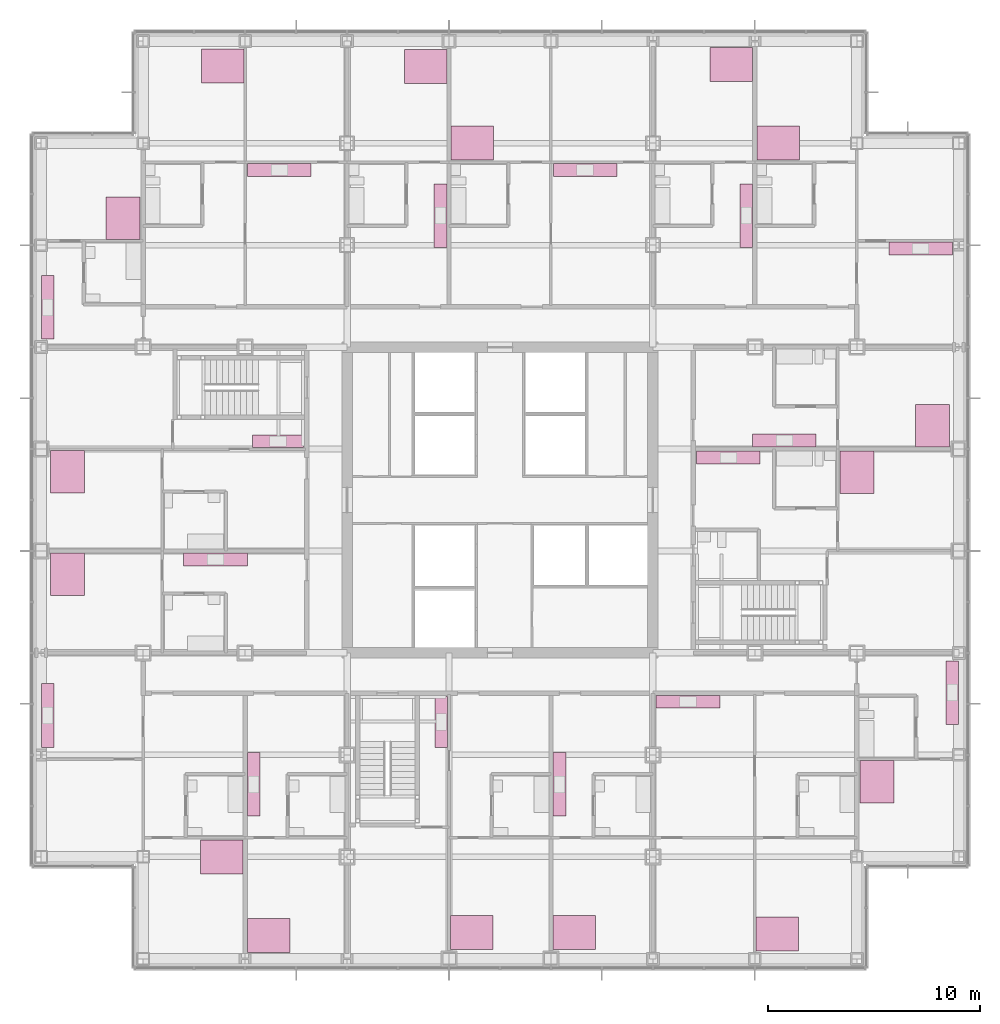
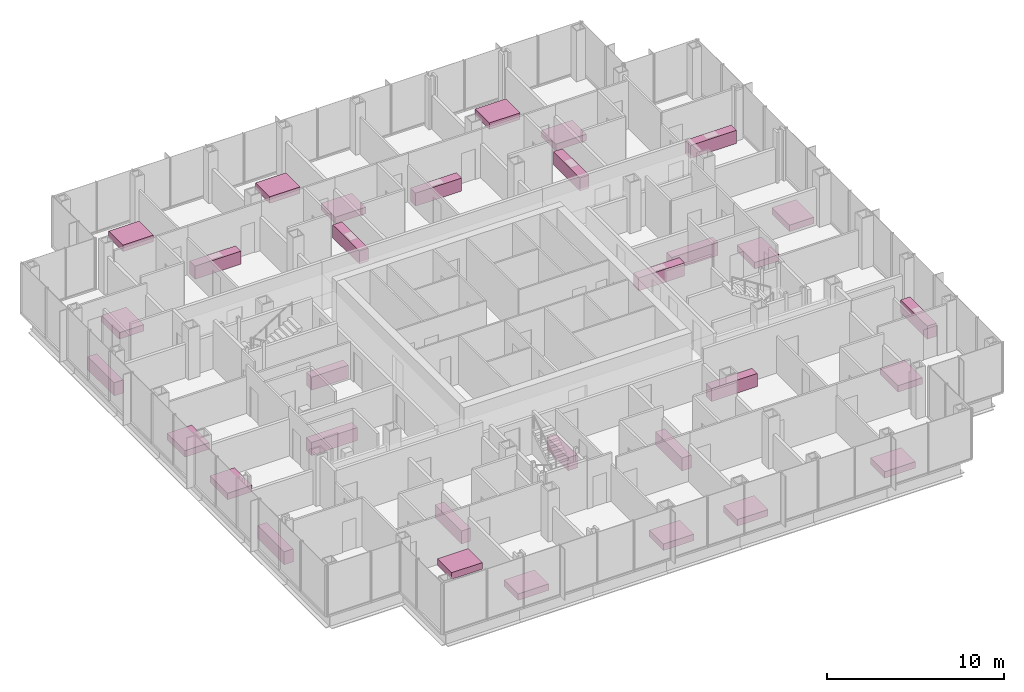
# One storey, part 21 of 21: 32 furniture elements.
"""IFC4 building model written with IfcOpenShell, lengths in metres."""

from ifc_helpers import new_model, si_unit, direction, frame, origin, origin_2d, place, context, subcontext, project, spatial, rectangle, extrude, material, type_object, element, save


model = new_model("IFC4")

# Units and contexts
model_context = context("Model", 3, precision=1e-05, world=origin(), true_north=direction((0.0, 1.0)))
body_context = subcontext(model_context, "Body", "Model", "MODEL_VIEW")
ifc_project = project(units=[si_unit("LENGTHUNIT", "METRE"), si_unit("AREAUNIT", "SQUARE_METRE"), si_unit("VOLUMEUNIT", "CUBIC_METRE"), si_unit("PLANEANGLEUNIT", "RADIAN"), si_unit("MASSUNIT", "GRAM", prefix="KILO")], contexts=[model_context])

# Site, building, storey
site_placement = place(None, origin())
site = spatial("IfcSite", under=ifc_project, at=site_placement, CompositionType="ELEMENT")
building_placement = place(site_placement, origin())
building = spatial("IfcBuilding", under=site, at=building_placement, Name="Kvirike Care Tower", CompositionType="ELEMENT")
storey_placement = place(building_placement, frame((0.0, 0.0, 30.5)))
storey = spatial("IfcBuildingStorey", under=building, at=storey_placement, Name="L07", CompositionType="ELEMENT", Elevation=30.5)

# Furniture
ifc_material_1 = material(Name="Timber", Category="wood")
furniture_type_1 = type_object("IfcFurnitureType", Name="DOUBLE BED 1600 x 2000", AssemblyPlace="FACTORY", PredefinedType="BED", material=ifc_material_1)
for number, where, z_axis, x_axis, name in (
    (1, (8.498046875, 19.18994140625, 0.0), (0.0, 0.0, 1.0), (0.0, -1.0, 0.0), "Double bed L07-003"),
    (2, (10.701904296875, 15.4970703125, 0.0), (0.0, 0.0, 1.0), (0.0, 1.0, 0.0), "Double bed L07-007"),
    (3, (1.2451171875, 37.337890625, 0.0), (0.0, 0.0, 1.0), (1.0, 0.0, 0.0), "Double bed L07-013"),
    (4, (1.2451171875, 32.498046875, 0.0), (0.0, 0.0, 1.0), (1.0, 0.0, 0.0), "Double bed L07-017"),
    (5, (8.5380859375, 56.429931640625, 0.0), (0.0, 0.0, 1.0), (0.0, -1.0, 0.0), "Double bed L07-022"),
    (6, (3.85009765625, 49.261962890625, 0.0), (0.0, 0.0, 1.0), (-1.0, 0.0, 0.0), "Double bed L07-026"),
    (7, (20.261962890625, 15.64501953125, 0.0), (0.0, 0.0, 1.0), (0.0, 1.0, 0.0), "Double bed L07-032"),
    (8, (25.10205078125, 15.64501953125, 0.0), (0.0, 0.0, 1.0), (0.0, 1.0, 0.0), "Double bed L07-036"),
    (9, (20.302001953125, 52.81005859375, 0.0), (0.0, 0.0, 1.0), (0.0, 1.0, 0.0), "Double bed L07-041"),
    (10, (18.097900390625, 56.405029296875, 0.0), (0.0, 0.0, 1.0), (0.0, -1.0, 0.0), "Double bed L07-045"),
    (11, (34.662109375, 15.570068359375, 0.0), (0.0, 0.0, 1.0), (0.0, 1.0, 0.0), "Double bed L07-050"),
    (12, (39.35009765625, 22.738037109375, 0.0), (0.0, 0.0, 1.0), (1.0, 0.0, 0.0), "Double bed L07-054"),
    (13, (38.409912109375, 37.298095703125, 0.0), (0.0, 0.0, 1.0), (1.0, 0.0, 0.0), "Double bed L07-060"),
    (14, (41.955078125, 39.501953125, 0.0), (0.0, 0.0, 1.0), (-1.0, 0.0, 0.0), "Double bed L07-064"),
    (15, (34.701904296875, 52.81005859375, 0.0), (0.0, 0.0, 1.0), (0.0, 1.0, 0.0), "Double bed L07-069"),
    (16, (32.498046875, 56.5029296875, 0.0), (0.0, 0.0, 1.0), (0.0, -1.0, 0.0), "Double bed L07-073"),
):
    element("IfcFurniture", number, at=place(storey_placement, frame(where, z_axis=z_axis, x_axis=x_axis)), inside=storey, type_object=furniture_type_1, Name=name, PredefinedType="BED", context=body_context, shape_type="SweptSolid", body=[
        extrude(rectangle(XDim=1.60009765625, YDim=2.0, at=origin_2d()), origin(), (0.0, 0.0, 1.0), 0.449951171875),
    ])
ifc_material_2 = material(Name="Laminated board", Category="wood")
furniture_type_2 = type_object("IfcFurnitureType", Name="KITCHEN UNIT RUN 600", AssemblyPlace="FACTORY", PredefinedType="USERDEFINED", material=ifc_material_2)
for number, where, z_axis, x_axis, name in (
    (17, (0.302001953125, 25.8544921875, 0.0), (0.0, 0.0, 1.0), (0.0, 1.0, 0.0), "Kitchen unit run L07-005"),
    (18, (10.001953125, 22.610107421875, 0.0), (0.0, 0.0, 1.0), (0.0, 1.0, 0.0), "Kitchen unit run L07-009"),
):
    element("IfcFurniture", number, at=place(storey_placement, frame(where, z_axis=z_axis, x_axis=x_axis)), inside=storey, type_object=furniture_type_2, Name=name, ObjectType="KITCHEN UNIT", PredefinedType="USERDEFINED", context=body_context, shape_type="SweptSolid", body=[
        extrude(rectangle(XDim=3.0, YDim=0.60009765625, at=origin_2d()), origin(), (0.0, 0.0, 1.0), 0.89990234375),
    ])
furniture_1_placement = place(storey_placement, frame((11.14990234375, 38.761962890625, 0.0), z_axis=(0.0, 0.0, 1.0), x_axis=(-1.0, 0.0, 0.0)))
element("IfcFurniture", 19, at=furniture_1_placement, inside=storey, type_object=furniture_type_2, Name="Kitchen unit run L07-015", ObjectType="KITCHEN UNIT", PredefinedType="USERDEFINED", context=body_context, shape_type="SweptSolid", body=[
    extrude(rectangle(XDim=2.39990234375, YDim=0.60009765625, at=origin_2d()), origin(), (0.0, 0.0, 1.0), 0.89990234375),
])
for number, where, z_axis, x_axis, name in (
    (20, (8.2099609375, 33.197998046875, 0.0), (0.0, 0.0, 1.0), (1.0, 0.0, 0.0), "Kitchen unit run L07-019"),
    (21, (11.2099609375, 51.5380859375, 0.0), (0.0, 0.0, 1.0), (1.0, 0.0, 0.0), "Kitchen unit run L07-024"),
    (22, (0.302001953125, 45.070068359375, 0.0), (0.0, 0.0, 1.0), (0.0, 1.0, 0.0), "Kitchen unit run L07-028"),
):
    element("IfcFurniture", number, at=place(storey_placement, frame(where, z_axis=z_axis, x_axis=x_axis)), inside=storey, type_object=furniture_type_2, Name=name, ObjectType="KITCHEN UNIT", PredefinedType="USERDEFINED", context=body_context, shape_type="SweptSolid", body=[
        extrude(rectangle(XDim=3.0, YDim=0.60009765625, at=origin_2d()), origin(), (0.0, 0.0, 1.0), 0.89990234375),
    ])
furniture_2_placement = place(storey_placement, frame((18.837890625, 25.550048828125, 0.0), z_axis=(0.0, 0.0, 1.0), x_axis=(0.0, -1.0, 0.0)))
element("IfcFurniture", 23, at=furniture_2_placement, inside=storey, type_object=furniture_type_2, Name="Kitchen unit run L07-034", ObjectType="KITCHEN UNIT", PredefinedType="USERDEFINED", context=body_context, shape_type="SweptSolid", body=[
    extrude(rectangle(XDim=2.39990234375, YDim=0.60009765625, at=origin_2d()), origin(), (0.0, 0.0, 1.0), 0.89990234375),
])
for number, where, z_axis, x_axis, name in (
    (24, (24.402099609375, 22.610107421875, 0.0), (0.0, 0.0, 1.0), (0.0, 1.0, 0.0), "Kitchen unit run L07-038"),
    (25, (25.610107421875, 51.5380859375, 0.0), (0.0, 0.0, 1.0), (1.0, 0.0, 0.0), "Kitchen unit run L07-043"),
    (26, (18.798095703125, 49.389892578125, 0.0), (0.0, 0.0, 1.0), (0.0, -1.0, 0.0), "Kitchen unit run L07-047"),
    (27, (30.449951171875, 26.498046875, 0.0), (0.0, 0.0, 1.0), (1.0, 0.0, 0.0), "Kitchen unit run L07-052"),
    (28, (42.89794921875, 26.929931640625, 0.0), (0.0, 0.0, 1.0), (0.0, -1.0, 0.0), "Kitchen unit run L07-056"),
    (29, (32.35009765625, 37.998046875, 0.0), (0.0, 0.0, 1.0), (1.0, 0.0, 0.0), "Kitchen unit run L07-063"),
    (30, (34.989990234375, 38.802001953125, 0.0), (0.0, 0.0, 1.0), (-1.0, 0.0, 0.0), "Kitchen unit run L07-066"),
    (31, (41.409912109375, 47.837890625, 0.0), (0.0, 0.0, 1.0), (1.0, 0.0, 0.0), "Kitchen unit run L07-071"),
    (32, (33.197998046875, 49.389892578125, 0.0), (0.0, 0.0, 1.0), (0.0, -1.0, 0.0), "Kitchen unit run L07-075"),
):
    element("IfcFurniture", number, at=place(storey_placement, frame(where, z_axis=z_axis, x_axis=x_axis)), inside=storey, type_object=furniture_type_2, Name=name, ObjectType="KITCHEN UNIT", PredefinedType="USERDEFINED", context=body_context, shape_type="SweptSolid", body=[
        extrude(rectangle(XDim=3.0, YDim=0.60009765625, at=origin_2d()), origin(), (0.0, 0.0, 1.0), 0.89990234375),
    ])

save(model, "model.ifc")
